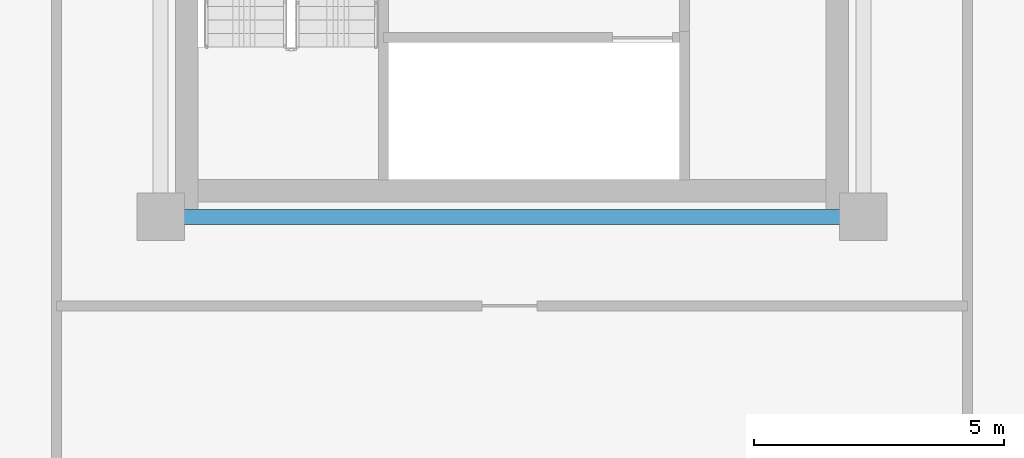
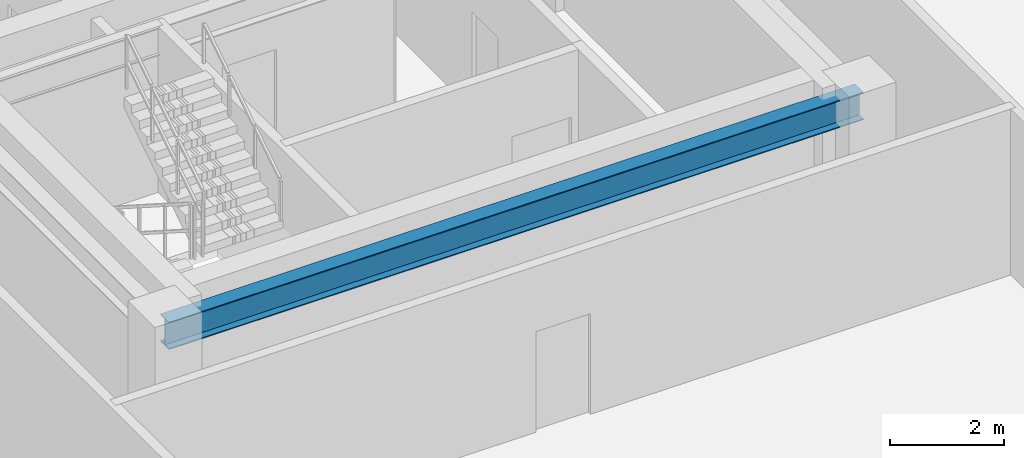
# One storey, part 5 of 24: 1 beam.
"""IFC4 building model written with IfcOpenShell, lengths in metres."""

from ifc_helpers import new_model, si_unit, direction, frame, origin, origin_2d, place, context, subcontext, project, spatial, i_section, extrude, source, transform, mapped, material, material_profile, profile_set, type_object, element, save


model = new_model("IFC4")

# Units and contexts
model_context = context("Model", 3, precision=1e-05, world=origin(), true_north=direction((0.0, 1.0)))
body_context = subcontext(model_context, "Body", "Model", "MODEL_VIEW")
ifc_project = project(units=[si_unit("LENGTHUNIT", "METRE"), si_unit("AREAUNIT", "SQUARE_METRE"), si_unit("VOLUMEUNIT", "CUBIC_METRE"), si_unit("PLANEANGLEUNIT", "RADIAN"), si_unit("MASSUNIT", "GRAM", prefix="KILO")], contexts=[model_context])

# Site, building, storey
site_placement = place(None, origin())
site = spatial("IfcSite", under=ifc_project, at=site_placement, CompositionType="ELEMENT")
building_placement = place(site_placement, origin())
building = spatial("IfcBuilding", under=site, at=building_placement, Name="Saelheon Loggia Tower", CompositionType="ELEMENT")
storey_placement = place(building_placement, frame((0.0, 0.0, 252.199951171875)))
storey = spatial("IfcBuildingStorey", under=building, at=storey_placement, Name="CR1", CompositionType="ELEMENT", Elevation=252.199951171875)

# Beam
ifc_material = material(Name="Steel SM355", Category="steel")
ifc_material_profile = material_profile(ifc_material, i_section(OverallWidth=0.300048828125, OverallDepth=0.587890625, WebThickness=0.011962890625, FlangeThickness=0.02001953125, at=origin_2d()), Name="H-588x300x12x20")
ifc_profile_set = profile_set([ifc_material_profile], Name="Steel SM355")
beam_type = type_object("IfcBeamType", Name="Beam_Girder_Steel_H588", PredefinedType="BEAM", material=ifc_profile_set)
shared_shape = source(origin(), body_context, "Body", "SweptSolid", [
    extrude(i_section(OverallWidth=0.300048828125, OverallDepth=0.587890625, WebThickness=0.011962890625, FlangeThickness=0.02001953125, at=origin_2d()), origin(), (0.0, 0.0, 1.0), 14.0400390625),
])
beam_placement = place(storey_placement, frame((30.97998046875, 17.47998046875, 3.256103515625), z_axis=(1.0, 0.0, 0.0), x_axis=(0.0, 1.0, 0.0)))
element("IfcBeam", 1, at=beam_placement, inside=storey, type_object=beam_type, Name="BM-CR1-PL-S", PredefinedType="BEAM", context=body_context, shape_type="MappedRepresentation", body=[
    mapped(shared_shape, transform((0.0, 0.0, 0.0), scale=1.0)),
])

save(model, "model.ifc")
